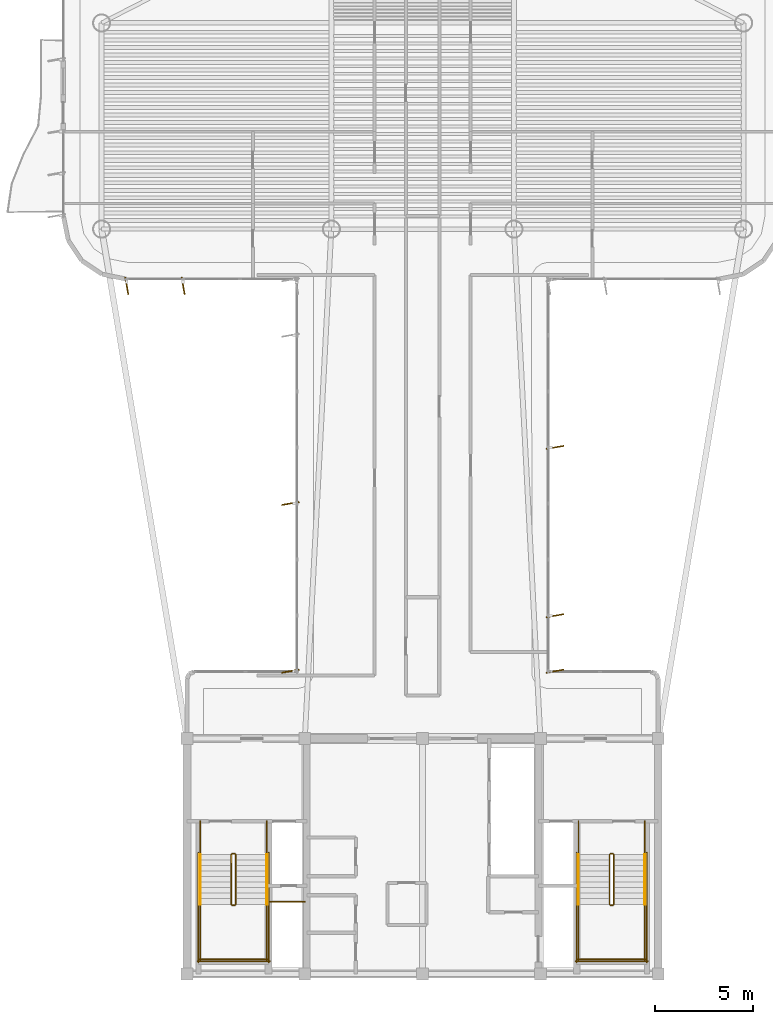
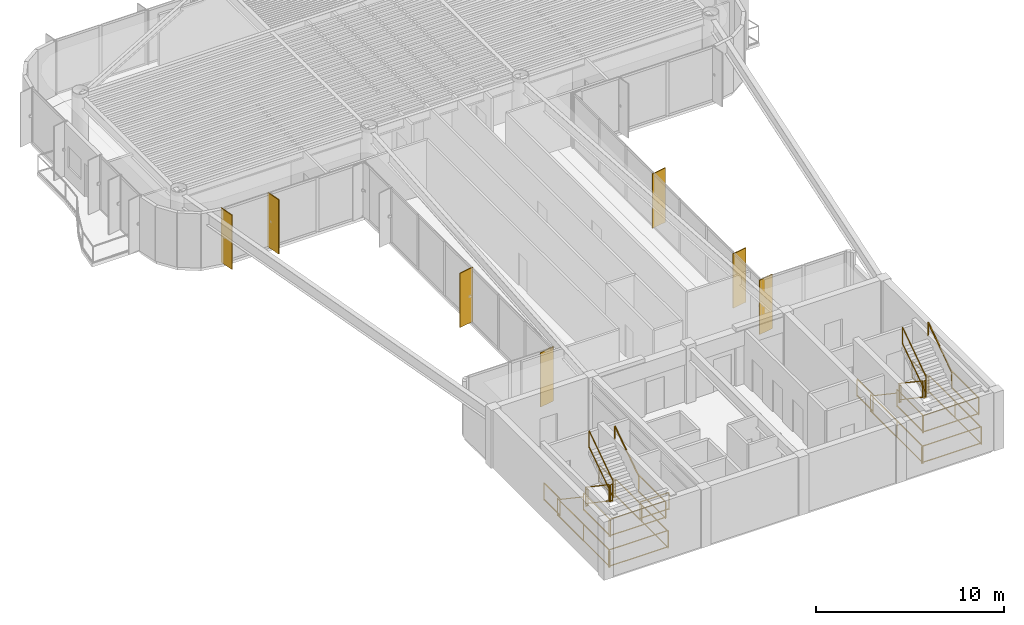
# One storey, part 14 of 15: 29 railings, 7 shading devices.
"""IFC4 building model written with IfcOpenShell, lengths in metres."""

from ifc_helpers import new_model, si_unit, direction, frame, origin, origin_2d, place, context, subcontext, project, spatial, rectangle, extrude, source, transform, mapped, material, layer, layer_set, material_profile, profile_set, type_object, element, save


model = new_model("IFC4")

# Units and contexts
model_context = context("Model", 3, precision=1e-05, world=origin(), true_north=direction((0.0, 1.0)))
body_context = subcontext(model_context, "Body", "Model", "MODEL_VIEW")
ifc_project = project(units=[si_unit("LENGTHUNIT", "METRE"), si_unit("AREAUNIT", "SQUARE_METRE"), si_unit("VOLUMEUNIT", "CUBIC_METRE"), si_unit("PLANEANGLEUNIT", "RADIAN"), si_unit("MASSUNIT", "GRAM", prefix="KILO")], contexts=[model_context])

# Site, building, storey
site_placement = place(None, origin())
site = spatial("IfcSite", under=ifc_project, at=site_placement, CompositionType="ELEMENT")
building_placement = place(site_placement, origin())
building = spatial("IfcBuilding", under=site, at=building_placement, Name="Brelvock Crest Care Tower", CompositionType="ELEMENT")
storey_placement = place(building_placement, frame((0.0, 0.0, 245.699951171875)))
storey = spatial("IfcBuildingStorey", under=building, at=storey_placement, Name="L62", CompositionType="ELEMENT", Elevation=245.699951171875)

# Railings
ifc_material_1 = material(Name="Steel Grade 350", Category="steel")
ifc_layer_1 = layer(ifc_material_1, 0.050048828125, Name="RL-STG1")
ifc_layer_set_1 = layer_set([ifc_layer_1], Name="Steel Grade 350")
railing_type_1 = type_object("IfcRailingType", Name="RL-STG1", PredefinedType="GUARDRAIL", material=ifc_layer_set_1)
railing_1_placement = place(storey_placement, frame((26.260009765625, 12.080078125, 0.18896484375)))
element("IfcRailing", 1, at=railing_1_placement, inside=storey, type_object=railing_type_1, Name="L62 ST-1 stair guard 1", PredefinedType="GUARDRAIL", context=body_context, shape_type="SweptSolid", body=[
    extrude(rectangle(XDim=0.048095703125, YDim=0.048095703125, at=origin_2d()), frame((0.0, -0.001708984375, 1.116943359375), z_axis=(0.0, -0.82882447046, 0.559508710537), x_axis=(1.0, 0.0, 0.0)), (0.0, 0.0, 1.0), 3.036376953125),
    extrude(rectangle(XDim=0.048095703125, YDim=0.048095703125, at=origin_2d()), frame((0.0, -0.001708984375, 0.05615234375), z_axis=(0.0, -0.82882447046, 0.559508710537), x_axis=(1.0, 0.0, 0.0)), (0.0, 0.0, 1.0), 3.036376953125),
    extrude(rectangle(XDim=0.0419921875, YDim=0.0419921875, at=origin_2d()), origin(), (0.0, 0.0, 1.0), 1.08984375),
    extrude(rectangle(XDim=0.0419921875, YDim=0.0419921875, at=origin_2d()), frame((0.0, -2.52001953125, 1.701171875)), (0.0, 0.0, 1.0), 1.08984375),
])
railing_2_placement = place(storey_placement, frame((26.31005859375, 9.510009765625, 1.89013671875)))
element("IfcRailing", 2, at=railing_2_placement, inside=storey, type_object=railing_type_1, Name="L62 ST-1 stair guard 2", PredefinedType="GUARDRAIL", context=body_context, shape_type="SweptSolid", body=[
    extrude(rectangle(XDim=0.048095703125, YDim=0.048095703125, at=origin_2d()), frame((0.001953125, 0.0, 1.11572265625), z_axis=(1.0, 0.0, 0.0), x_axis=(0.0, 1.0, 0.0)), (0.0, 0.0, 1.0), 0.115966796875),
    extrude(rectangle(XDim=0.048095703125, YDim=0.048095703125, at=origin_2d()), frame((0.001953125, 0.0, 0.054931640625), z_axis=(1.0, 0.0, 0.0), x_axis=(0.0, 1.0, 0.0)), (0.0, 0.0, 1.0), 0.115966796875),
    extrude(rectangle(XDim=0.0419921875, YDim=0.0419921875, at=origin_2d()), origin(), (0.0, 0.0, 1.0), 1.08984375),
    extrude(rectangle(XDim=0.0419921875, YDim=0.0419921875, at=origin_2d()), frame((0.119873046875, 0.0, 0.0)), (0.0, 0.0, 1.0), 1.08984375),
])
for number, where, name in (
    (3, (24.679931640625, 9.56005859375, 1.89013671875), "L62 ST-1 stair guard 3"),
    (4, (28.06005859375, 9.56005859375, 1.89013671875), "L62 ST-1 stair guard 4"),
):
    element("IfcRailing", number, at=place(storey_placement, frame(where)), inside=storey, type_object=railing_type_1, Name=name, PredefinedType="GUARDRAIL", context=body_context, shape_type="SweptSolid", body=[
        extrude(rectangle(XDim=0.048095703125, YDim=0.048095703125, at=origin_2d()), frame((0.0, -0.001953125, 1.11572265625), z_axis=(0.0, -1.0, 0.0), x_axis=(1.0, 0.0, 0.0)), (0.0, 0.0, 1.0), 2.856201171875),
        extrude(rectangle(XDim=0.048095703125, YDim=0.048095703125, at=origin_2d()), frame((0.0, -0.001953125, 0.054931640625), z_axis=(0.0, -1.0, 0.0), x_axis=(1.0, 0.0, 0.0)), (0.0, 0.0, 1.0), 2.856201171875),
        extrude(rectangle(XDim=0.0419921875, YDim=0.0419921875, at=origin_2d()), origin(), (0.0, 0.0, 1.0), 1.08984375),
        extrude(rectangle(XDim=0.0419921875, YDim=0.0419921875, at=origin_2d()), frame((0.0, -2.860107421875, 0.0)), (0.0, 0.0, 1.0), 1.08984375),
    ])
railing_3_placement = place(storey_placement, frame((24.6298828125, 6.75, 1.89013671875)))
element("IfcRailing", 5, at=railing_3_placement, inside=storey, type_object=railing_type_1, Name="L62 ST-1 stair guard 5", PredefinedType="GUARDRAIL", context=body_context, shape_type="SweptSolid", body=[
    extrude(rectangle(XDim=0.048095703125, YDim=0.048095703125, at=origin_2d()), frame((0.001953125, 0.0, 1.11572265625), z_axis=(1.0, 0.0, 0.0), x_axis=(0.0, 1.0, 0.0)), (0.0, 0.0, 1.0), 3.476318359375),
    extrude(rectangle(XDim=0.048095703125, YDim=0.048095703125, at=origin_2d()), frame((0.001953125, 0.0, 0.054931640625), z_axis=(1.0, 0.0, 0.0), x_axis=(0.0, 1.0, 0.0)), (0.0, 0.0, 1.0), 3.476318359375),
    extrude(rectangle(XDim=0.0419921875, YDim=0.0419921875, at=origin_2d()), origin(), (0.0, 0.0, 1.0), 1.08984375),
    extrude(rectangle(XDim=0.0419921875, YDim=0.0419921875, at=origin_2d()), frame((3.480224609375, 0.0, 0.0)), (0.0, 0.0, 1.0), 1.08984375),
])
railing_4_placement = place(storey_placement, frame((26.47998046875, 9.56005859375, 2.0791015625)))
element("IfcRailing", 6, at=railing_4_placement, inside=storey, type_object=railing_type_1, Name="L62 ST-1 stair guard 6", PredefinedType="GUARDRAIL", context=body_context, shape_type="SweptSolid", body=[
    extrude(rectangle(XDim=0.048095703125, YDim=0.048095703125, at=origin_2d()), frame((0.0, 0.001708984375, 1.116943359375), z_axis=(0.0, 0.828861706735, 0.559453546873), x_axis=(-1.0, 0.0, 0.0)), (0.0, 0.0, 1.0), 3.036376953125),
    extrude(rectangle(XDim=0.048095703125, YDim=0.048095703125, at=origin_2d()), frame((0.0, 0.001708984375, 0.05615234375), z_axis=(0.0, 0.828861706735, 0.559453546873), x_axis=(-1.0, 0.0, 0.0)), (0.0, 0.0, 1.0), 3.036376953125),
    extrude(rectangle(XDim=0.0419921875, YDim=0.0419921875, at=origin_2d()), origin(), (0.0, 0.0, 1.0), 1.08984375),
    extrude(rectangle(XDim=0.0419921875, YDim=0.0419921875, at=origin_2d()), frame((0.0, 2.52001953125, 1.700927734375)), (0.0, 0.0, 1.0), 1.08984375),
])
railing_5_placement = place(storey_placement, frame((26.31005859375, 12.1298828125, 0.0)))
element("IfcRailing", 7, at=railing_5_placement, inside=storey, type_object=railing_type_1, Name="L62 ST-1 stair guard 7", PredefinedType="GUARDRAIL", context=body_context, shape_type="SweptSolid", body=[
    extrude(rectangle(XDim=0.048095703125, YDim=0.048095703125, at=origin_2d()), frame((0.001953125, 0.0, 1.11572265625), z_axis=(1.0, 0.0, 0.0), x_axis=(0.0, 1.0, 0.0)), (0.0, 0.0, 1.0), 0.115966796875),
    extrude(rectangle(XDim=0.048095703125, YDim=0.048095703125, at=origin_2d()), frame((0.001953125, 0.0, 0.054931640625), z_axis=(1.0, 0.0, 0.0), x_axis=(0.0, 1.0, 0.0)), (0.0, 0.0, 1.0), 0.115966796875),
    extrude(rectangle(XDim=0.0419921875, YDim=0.0419921875, at=origin_2d()), origin(), (0.0, 0.0, 1.0), 1.08984375),
    extrude(rectangle(XDim=0.0419921875, YDim=0.0419921875, at=origin_2d()), frame((0.119873046875, 0.0, 0.0)), (0.0, 0.0, 1.0), 1.08984375),
])
for number, where, name in (
    (8, (24.679931640625, 13.780029296875, 0.0), "L62 ST-1 stair guard 8"),
    (9, (28.06005859375, 13.780029296875, 0.0), "L62 ST-1 stair guard 9"),
):
    element("IfcRailing", number, at=place(storey_placement, frame(where)), inside=storey, type_object=railing_type_1, Name=name, PredefinedType="GUARDRAIL", context=body_context, shape_type="SweptSolid", body=[
        extrude(rectangle(XDim=0.048095703125, YDim=0.048095703125, at=origin_2d()), frame((0.0, -0.001953125, 1.11572265625), z_axis=(0.0, -1.0, 0.0), x_axis=(1.0, 0.0, 0.0)), (0.0, 0.0, 1.0), 1.696044921875),
        extrude(rectangle(XDim=0.048095703125, YDim=0.048095703125, at=origin_2d()), frame((0.0, -0.001953125, 0.054931640625), z_axis=(0.0, -1.0, 0.0), x_axis=(1.0, 0.0, 0.0)), (0.0, 0.0, 1.0), 1.696044921875),
        extrude(rectangle(XDim=0.0419921875, YDim=0.0419921875, at=origin_2d()), origin(), (0.0, 0.0, 1.0), 1.08984375),
        extrude(rectangle(XDim=0.0419921875, YDim=0.0419921875, at=origin_2d()), frame((0.0, -1.699951171875, 0.0)), (0.0, 0.0, 1.0), 1.08984375),
    ])
for number, where, name in (
    (10, (24.580078125, 12.179931640625, 0.0), "L62 ST-1 stair guard 10"),
    (11, (28.159912109375, 12.179931640625, 0.0), "L62 ST-1 stair guard 11"),
):
    element("IfcRailing", number, at=place(storey_placement, frame(where)), inside=storey, type_object=railing_type_1, Name=name, PredefinedType="GUARDRAIL", context=body_context, shape_type="SweptSolid", body=[
        extrude(rectangle(XDim=0.048095703125, YDim=0.048095703125, at=origin_2d()), frame((0.0, -0.001953125, 1.11572265625), z_axis=(0.0, -1.0, 0.0), x_axis=(1.0, 0.0, 0.0)), (0.0, 0.0, 1.0), 5.575927734375),
        extrude(rectangle(XDim=0.048095703125, YDim=0.048095703125, at=origin_2d()), frame((0.0, -0.001953125, 0.054931640625), z_axis=(0.0, -1.0, 0.0), x_axis=(1.0, 0.0, 0.0)), (0.0, 0.0, 1.0), 5.575927734375),
        extrude(rectangle(XDim=0.0419921875, YDim=0.0419921875, at=origin_2d()), origin(), (0.0, 0.0, 1.0), 1.08984375),
        extrude(rectangle(XDim=0.0419921875, YDim=0.0419921875, at=origin_2d()), frame((0.0, -2.7900390625, 0.0)), (0.0, 0.0, 1.0), 1.08984375),
        extrude(rectangle(XDim=0.0419921875, YDim=0.0419921875, at=origin_2d()), frame((0.0, -5.579833984375, 0.0)), (0.0, 0.0, 1.0), 1.08984375),
    ])
railing_6_placement = place(storey_placement, frame((24.530029296875, 6.64990234375, 0.0)))
element("IfcRailing", 12, at=railing_6_placement, inside=storey, type_object=railing_type_1, Name="L62 ST-1 stair guard 12", PredefinedType="GUARDRAIL", context=body_context, shape_type="SweptSolid", body=[
    extrude(rectangle(XDim=0.048095703125, YDim=0.048095703125, at=origin_2d()), frame((0.001953125, 0.0, 1.11572265625), z_axis=(1.0, 0.0, 0.0), x_axis=(0.0, 1.0, 0.0)), (0.0, 0.0, 1.0), 3.676025390625),
    extrude(rectangle(XDim=0.048095703125, YDim=0.048095703125, at=origin_2d()), frame((0.001953125, 0.0, 0.054931640625), z_axis=(1.0, 0.0, 0.0), x_axis=(0.0, 1.0, 0.0)), (0.0, 0.0, 1.0), 3.676025390625),
    extrude(rectangle(XDim=0.0419921875, YDim=0.0419921875, at=origin_2d()), origin(), (0.0, 0.0, 1.0), 1.08984375),
    extrude(rectangle(XDim=0.0419921875, YDim=0.0419921875, at=origin_2d()), frame((3.679931640625, 0.0, 0.0)), (0.0, 0.0, 1.0), 1.08984375),
])
railing_7_placement = place(storey_placement, frame((45.52001953125, 12.080078125, 0.18896484375)))
element("IfcRailing", 13, at=railing_7_placement, inside=storey, type_object=railing_type_1, Name="L62 ST-2 stair guard 1", PredefinedType="GUARDRAIL", context=body_context, shape_type="SweptSolid", body=[
    extrude(rectangle(XDim=0.048095703125, YDim=0.048095703125, at=origin_2d()), frame((0.0, -0.001708984375, 1.116943359375), z_axis=(0.0, -0.82882447046, 0.559508710537), x_axis=(1.0, 0.0, 0.0)), (0.0, 0.0, 1.0), 3.036376953125),
    extrude(rectangle(XDim=0.048095703125, YDim=0.048095703125, at=origin_2d()), frame((0.0, -0.001708984375, 0.05615234375), z_axis=(0.0, -0.82882447046, 0.559508710537), x_axis=(1.0, 0.0, 0.0)), (0.0, 0.0, 1.0), 3.036376953125),
    extrude(rectangle(XDim=0.0419921875, YDim=0.0419921875, at=origin_2d()), origin(), (0.0, 0.0, 1.0), 1.08984375),
    extrude(rectangle(XDim=0.0419921875, YDim=0.0419921875, at=origin_2d()), frame((0.0, -2.52001953125, 1.701171875)), (0.0, 0.0, 1.0), 1.08984375),
])
railing_8_placement = place(storey_placement, frame((45.570068359375, 9.510009765625, 1.89013671875)))
element("IfcRailing", 14, at=railing_8_placement, inside=storey, type_object=railing_type_1, Name="L62 ST-2 stair guard 2", PredefinedType="GUARDRAIL", context=body_context, shape_type="SweptSolid", body=[
    extrude(rectangle(XDim=0.048095703125, YDim=0.048095703125, at=origin_2d()), frame((0.001953125, 0.0, 1.11572265625), z_axis=(1.0, 0.0, 0.0), x_axis=(0.0, 1.0, 0.0)), (0.0, 0.0, 1.0), 0.115966796875),
    extrude(rectangle(XDim=0.048095703125, YDim=0.048095703125, at=origin_2d()), frame((0.001953125, 0.0, 0.054931640625), z_axis=(1.0, 0.0, 0.0), x_axis=(0.0, 1.0, 0.0)), (0.0, 0.0, 1.0), 0.115966796875),
    extrude(rectangle(XDim=0.0419921875, YDim=0.0419921875, at=origin_2d()), origin(), (0.0, 0.0, 1.0), 1.08984375),
    extrude(rectangle(XDim=0.0419921875, YDim=0.0419921875, at=origin_2d()), frame((0.119873046875, 0.0, 0.0)), (0.0, 0.0, 1.0), 1.08984375),
])
for number, where, name in (
    (15, (43.93994140625, 9.56005859375, 1.89013671875), "L62 ST-2 stair guard 3"),
    (16, (47.320068359375, 9.56005859375, 1.89013671875), "L62 ST-2 stair guard 4"),
):
    element("IfcRailing", number, at=place(storey_placement, frame(where)), inside=storey, type_object=railing_type_1, Name=name, PredefinedType="GUARDRAIL", context=body_context, shape_type="SweptSolid", body=[
        extrude(rectangle(XDim=0.048095703125, YDim=0.048095703125, at=origin_2d()), frame((0.0, -0.001953125, 1.11572265625), z_axis=(0.0, -1.0, 0.0), x_axis=(1.0, 0.0, 0.0)), (0.0, 0.0, 1.0), 2.856201171875),
        extrude(rectangle(XDim=0.048095703125, YDim=0.048095703125, at=origin_2d()), frame((0.0, -0.001953125, 0.054931640625), z_axis=(0.0, -1.0, 0.0), x_axis=(1.0, 0.0, 0.0)), (0.0, 0.0, 1.0), 2.856201171875),
        extrude(rectangle(XDim=0.0419921875, YDim=0.0419921875, at=origin_2d()), origin(), (0.0, 0.0, 1.0), 1.08984375),
        extrude(rectangle(XDim=0.0419921875, YDim=0.0419921875, at=origin_2d()), frame((0.0, -2.860107421875, 0.0)), (0.0, 0.0, 1.0), 1.08984375),
    ])
railing_9_placement = place(storey_placement, frame((43.889892578125, 6.75, 1.89013671875)))
element("IfcRailing", 17, at=railing_9_placement, inside=storey, type_object=railing_type_1, Name="L62 ST-2 stair guard 5", PredefinedType="GUARDRAIL", context=body_context, shape_type="SweptSolid", body=[
    extrude(rectangle(XDim=0.048095703125, YDim=0.048095703125, at=origin_2d()), frame((0.001953125, 0.0, 1.11572265625), z_axis=(1.0, 0.0, 0.0), x_axis=(0.0, 1.0, 0.0)), (0.0, 0.0, 1.0), 3.476318359375),
    extrude(rectangle(XDim=0.048095703125, YDim=0.048095703125, at=origin_2d()), frame((0.001953125, 0.0, 0.054931640625), z_axis=(1.0, 0.0, 0.0), x_axis=(0.0, 1.0, 0.0)), (0.0, 0.0, 1.0), 3.476318359375),
    extrude(rectangle(XDim=0.0419921875, YDim=0.0419921875, at=origin_2d()), origin(), (0.0, 0.0, 1.0), 1.08984375),
    extrude(rectangle(XDim=0.0419921875, YDim=0.0419921875, at=origin_2d()), frame((3.480224609375, 0.0, 0.0)), (0.0, 0.0, 1.0), 1.08984375),
])
railing_10_placement = place(storey_placement, frame((45.739990234375, 9.56005859375, 2.0791015625)))
element("IfcRailing", 18, at=railing_10_placement, inside=storey, type_object=railing_type_1, Name="L62 ST-2 stair guard 6", PredefinedType="GUARDRAIL", context=body_context, shape_type="SweptSolid", body=[
    extrude(rectangle(XDim=0.048095703125, YDim=0.048095703125, at=origin_2d()), frame((0.0, 0.001708984375, 1.116943359375), z_axis=(0.0, 0.828861706735, 0.559453546873), x_axis=(-1.0, 0.0, 0.0)), (0.0, 0.0, 1.0), 3.036376953125),
    extrude(rectangle(XDim=0.048095703125, YDim=0.048095703125, at=origin_2d()), frame((0.0, 0.001708984375, 0.05615234375), z_axis=(0.0, 0.828861706735, 0.559453546873), x_axis=(-1.0, 0.0, 0.0)), (0.0, 0.0, 1.0), 3.036376953125),
    extrude(rectangle(XDim=0.0419921875, YDim=0.0419921875, at=origin_2d()), origin(), (0.0, 0.0, 1.0), 1.08984375),
    extrude(rectangle(XDim=0.0419921875, YDim=0.0419921875, at=origin_2d()), frame((0.0, 2.52001953125, 1.700927734375)), (0.0, 0.0, 1.0), 1.08984375),
])
railing_11_placement = place(storey_placement, frame((45.570068359375, 12.1298828125, 0.0)))
element("IfcRailing", 19, at=railing_11_placement, inside=storey, type_object=railing_type_1, Name="L62 ST-2 stair guard 7", PredefinedType="GUARDRAIL", context=body_context, shape_type="SweptSolid", body=[
    extrude(rectangle(XDim=0.048095703125, YDim=0.048095703125, at=origin_2d()), frame((0.001953125, 0.0, 1.11572265625), z_axis=(1.0, 0.0, 0.0), x_axis=(0.0, 1.0, 0.0)), (0.0, 0.0, 1.0), 0.115966796875),
    extrude(rectangle(XDim=0.048095703125, YDim=0.048095703125, at=origin_2d()), frame((0.001953125, 0.0, 0.054931640625), z_axis=(1.0, 0.0, 0.0), x_axis=(0.0, 1.0, 0.0)), (0.0, 0.0, 1.0), 0.115966796875),
    extrude(rectangle(XDim=0.0419921875, YDim=0.0419921875, at=origin_2d()), origin(), (0.0, 0.0, 1.0), 1.08984375),
    extrude(rectangle(XDim=0.0419921875, YDim=0.0419921875, at=origin_2d()), frame((0.119873046875, 0.0, 0.0)), (0.0, 0.0, 1.0), 1.08984375),
])
for number, where, name in (
    (20, (43.93994140625, 13.780029296875, 0.0), "L62 ST-2 stair guard 8"),
    (21, (47.320068359375, 13.780029296875, 0.0), "L62 ST-2 stair guard 9"),
):
    element("IfcRailing", number, at=place(storey_placement, frame(where)), inside=storey, type_object=railing_type_1, Name=name, PredefinedType="GUARDRAIL", context=body_context, shape_type="SweptSolid", body=[
        extrude(rectangle(XDim=0.048095703125, YDim=0.048095703125, at=origin_2d()), frame((0.0, -0.001953125, 1.11572265625), z_axis=(0.0, -1.0, 0.0), x_axis=(1.0, 0.0, 0.0)), (0.0, 0.0, 1.0), 1.696044921875),
        extrude(rectangle(XDim=0.048095703125, YDim=0.048095703125, at=origin_2d()), frame((0.0, -0.001953125, 0.054931640625), z_axis=(0.0, -1.0, 0.0), x_axis=(1.0, 0.0, 0.0)), (0.0, 0.0, 1.0), 1.696044921875),
        extrude(rectangle(XDim=0.0419921875, YDim=0.0419921875, at=origin_2d()), origin(), (0.0, 0.0, 1.0), 1.08984375),
        extrude(rectangle(XDim=0.0419921875, YDim=0.0419921875, at=origin_2d()), frame((0.0, -1.699951171875, 0.0)), (0.0, 0.0, 1.0), 1.08984375),
    ])
for number, where, name in (
    (22, (43.840087890625, 12.179931640625, 0.0), "L62 ST-2 stair guard 10"),
    (23, (47.419921875, 12.179931640625, 0.0), "L62 ST-2 stair guard 11"),
):
    element("IfcRailing", number, at=place(storey_placement, frame(where)), inside=storey, type_object=railing_type_1, Name=name, PredefinedType="GUARDRAIL", context=body_context, shape_type="SweptSolid", body=[
        extrude(rectangle(XDim=0.048095703125, YDim=0.048095703125, at=origin_2d()), frame((0.0, -0.001953125, 1.11572265625), z_axis=(0.0, -1.0, 0.0), x_axis=(1.0, 0.0, 0.0)), (0.0, 0.0, 1.0), 5.575927734375),
        extrude(rectangle(XDim=0.048095703125, YDim=0.048095703125, at=origin_2d()), frame((0.0, -0.001953125, 0.054931640625), z_axis=(0.0, -1.0, 0.0), x_axis=(1.0, 0.0, 0.0)), (0.0, 0.0, 1.0), 5.575927734375),
        extrude(rectangle(XDim=0.0419921875, YDim=0.0419921875, at=origin_2d()), origin(), (0.0, 0.0, 1.0), 1.08984375),
        extrude(rectangle(XDim=0.0419921875, YDim=0.0419921875, at=origin_2d()), frame((0.0, -2.7900390625, 0.0)), (0.0, 0.0, 1.0), 1.08984375),
        extrude(rectangle(XDim=0.0419921875, YDim=0.0419921875, at=origin_2d()), frame((0.0, -5.579833984375, 0.0)), (0.0, 0.0, 1.0), 1.08984375),
    ])
railing_12_placement = place(storey_placement, frame((43.7900390625, 6.64990234375, 0.0)))
element("IfcRailing", 24, at=railing_12_placement, inside=storey, type_object=railing_type_1, Name="L62 ST-2 stair guard 12", PredefinedType="GUARDRAIL", context=body_context, shape_type="SweptSolid", body=[
    extrude(rectangle(XDim=0.048095703125, YDim=0.048095703125, at=origin_2d()), frame((0.001953125, 0.0, 1.11572265625), z_axis=(1.0, 0.0, 0.0), x_axis=(0.0, 1.0, 0.0)), (0.0, 0.0, 1.0), 3.676025390625),
    extrude(rectangle(XDim=0.048095703125, YDim=0.048095703125, at=origin_2d()), frame((0.001953125, 0.0, 0.054931640625), z_axis=(1.0, 0.0, 0.0), x_axis=(0.0, 1.0, 0.0)), (0.0, 0.0, 1.0), 3.676025390625),
    extrude(rectangle(XDim=0.0419921875, YDim=0.0419921875, at=origin_2d()), origin(), (0.0, 0.0, 1.0), 1.08984375),
    extrude(rectangle(XDim=0.0419921875, YDim=0.0419921875, at=origin_2d()), frame((3.679931640625, 0.0, 0.0)), (0.0, 0.0, 1.0), 1.08984375),
])
railing_13_placement = place(storey_placement, frame((28.219970703125, 9.679931640625, 0.0)))
element("IfcRailing", 25, at=railing_13_placement, inside=storey, type_object=railing_type_1, Name="L62 Fire Riser Threshold Guard", PredefinedType="GUARDRAIL", context=body_context, shape_type="SweptSolid", body=[
    extrude(rectangle(XDim=0.048095703125, YDim=0.048095703125, at=origin_2d()), frame((0.001953125, 0.0, 1.11572265625), z_axis=(1.0, 0.0, 0.0), x_axis=(0.0, 1.0, 0.0)), (0.0, 0.0, 1.0), 1.776123046875),
    extrude(rectangle(XDim=0.048095703125, YDim=0.048095703125, at=origin_2d()), frame((0.001953125, 0.0, 0.054931640625), z_axis=(1.0, 0.0, 0.0), x_axis=(0.0, 1.0, 0.0)), (0.0, 0.0, 1.0), 1.776123046875),
    extrude(rectangle(XDim=0.0419921875, YDim=0.0419921875, at=origin_2d()), origin(), (0.0, 0.0, 1.0), 1.08984375),
    extrude(rectangle(XDim=0.0419921875, YDim=0.0419921875, at=origin_2d()), frame((1.780029296875, 0.0, 0.0)), (0.0, 0.0, 1.0), 1.08984375),
])
ifc_layer_2 = layer(ifc_material_1, 0.048095703125, Name="RL-STH1")
ifc_layer_set_2 = layer_set([ifc_layer_2], Name="Steel Grade 350")
railing_type_2 = type_object("IfcRailingType", Name="RL-STH1", PredefinedType="HANDRAIL", material=ifc_layer_set_2)
railing_14_placement = place(storey_placement, frame((24.679931640625, 12.080078125, 0.18896484375)))
element("IfcRailing", 26, at=railing_14_placement, inside=storey, type_object=railing_type_2, Name="L62 ST-1 stair handrail 1", PredefinedType="HANDRAIL", context=body_context, shape_type="SweptSolid", body=[
    extrude(rectangle(XDim=0.048095703125, YDim=0.048095703125, at=origin_2d()), frame((0.0, -0.001708984375, 0.876953125), z_axis=(0.0, -0.82882447046, 0.559508710537), x_axis=(1.0, 0.0, 0.0)), (0.0, 0.0, 1.0), 3.036376953125),
    extrude(rectangle(XDim=0.0419921875, YDim=0.0419921875, at=origin_2d()), origin(), (0.0, 0.0, 1.0), 0.849853515625),
    extrude(rectangle(XDim=0.0419921875, YDim=0.0419921875, at=origin_2d()), frame((0.0, -2.52001953125, 1.701171875)), (0.0, 0.0, 1.0), 0.849853515625),
])
railing_15_placement = place(storey_placement, frame((28.06005859375, 9.56005859375, 2.0791015625)))
element("IfcRailing", 27, at=railing_15_placement, inside=storey, type_object=railing_type_2, Name="L62 ST-1 stair handrail 2", PredefinedType="HANDRAIL", context=body_context, shape_type="SweptSolid", body=[
    extrude(rectangle(XDim=0.048095703125, YDim=0.048095703125, at=origin_2d()), frame((0.0, 0.001708984375, 0.876953125), z_axis=(0.0, 0.828861706735, 0.559453546873), x_axis=(-1.0, 0.0, 0.0)), (0.0, 0.0, 1.0), 3.036376953125),
    extrude(rectangle(XDim=0.0419921875, YDim=0.0419921875, at=origin_2d()), origin(), (0.0, 0.0, 1.0), 0.849853515625),
    extrude(rectangle(XDim=0.0419921875, YDim=0.0419921875, at=origin_2d()), frame((0.0, 2.52001953125, 1.700927734375)), (0.0, 0.0, 1.0), 0.849853515625),
])
railing_16_placement = place(storey_placement, frame((43.93994140625, 12.080078125, 0.18896484375)))
element("IfcRailing", 28, at=railing_16_placement, inside=storey, type_object=railing_type_2, Name="L62 ST-2 stair handrail 1", PredefinedType="HANDRAIL", context=body_context, shape_type="SweptSolid", body=[
    extrude(rectangle(XDim=0.048095703125, YDim=0.048095703125, at=origin_2d()), frame((0.0, -0.001708984375, 0.876953125), z_axis=(0.0, -0.82882447046, 0.559508710537), x_axis=(1.0, 0.0, 0.0)), (0.0, 0.0, 1.0), 3.036376953125),
    extrude(rectangle(XDim=0.0419921875, YDim=0.0419921875, at=origin_2d()), origin(), (0.0, 0.0, 1.0), 0.849853515625),
    extrude(rectangle(XDim=0.0419921875, YDim=0.0419921875, at=origin_2d()), frame((0.0, -2.52001953125, 1.701171875)), (0.0, 0.0, 1.0), 0.849853515625),
])
railing_17_placement = place(storey_placement, frame((47.320068359375, 9.56005859375, 2.0791015625)))
element("IfcRailing", 29, at=railing_17_placement, inside=storey, type_object=railing_type_2, Name="L62 ST-2 stair handrail 2", PredefinedType="HANDRAIL", context=body_context, shape_type="SweptSolid", body=[
    extrude(rectangle(XDim=0.048095703125, YDim=0.048095703125, at=origin_2d()), frame((0.0, 0.001708984375, 0.876953125), z_axis=(0.0, 0.828861706735, 0.559453546873), x_axis=(-1.0, 0.0, 0.0)), (0.0, 0.0, 1.0), 3.036376953125),
    extrude(rectangle(XDim=0.0419921875, YDim=0.0419921875, at=origin_2d()), origin(), (0.0, 0.0, 1.0), 0.849853515625),
    extrude(rectangle(XDim=0.0419921875, YDim=0.0419921875, at=origin_2d()), frame((0.0, 2.52001953125, 1.700927734375)), (0.0, 0.0, 1.0), 0.849853515625),
])

# Shading devices
ifc_material_2 = material(Name="Aluminium 6063-T6", Category="aluminium")
ifc_material_profile = material_profile(ifc_material_2, rectangle(XDim=0.054931640625, YDim=0.89990234375, at=origin_2d()), Name="FIN55x900")
ifc_profile_set = profile_set([ifc_material_profile], Name="Aluminium 6063-T6")
shading_device_type = type_object("IfcShadingDeviceType", Name="SHD-FIN1", PredefinedType="USERDEFINED", material=ifc_profile_set)
shared_shape = source(origin(), body_context, "Body", "SweptSolid", [
    extrude(rectangle(XDim=0.054931640625, YDim=0.89990234375, at=origin_2d()), origin(), (0.0, 0.0, 1.0), 3.530029296875),
])
for number, where, z_axis, x_axis, name in (
    (30, (29.260009765625, 21.429931640625, 0.0), (0.0, 0.0, 1.0), (-0.173648177667, 0.984807753012, 0.0), "L62 Vertical Sunshade Fin E11-01"),
    (31, (29.260009765625, 29.971435546875, 0.0), (0.0, 0.0, 1.0), (-0.173648177667, 0.984807753012, 0.0), "L62 Vertical Sunshade Fin E11-04"),
    (32, (23.800048828125, 41.06005859375, 0.0), (0.0, 0.0, 1.0), (-0.984807753012, -0.173648177667, 0.0), "L62 Vertical Sunshade Fin E12-03"),
    (33, (20.929931640625, 41.06005859375, 0.0), (0.0, 0.0, 1.0), (-0.984807753012, -0.173648177667, 0.0), "L62 Vertical Sunshade Fin E12-04"),
    (34, (42.739990234375, 32.82861328125, 0.0), (0.0, 0.0, 1.0), (0.173648177667, -0.984807753012, 0.0), "L62 Vertical Sunshade Fin E45-04"),
    (35, (42.739990234375, 24.257080078125, 0.0), (0.0, 0.0, 1.0), (0.173648177667, -0.984807753012, 0.0), "L62 Vertical Sunshade Fin E45-07"),
    (36, (42.739990234375, 21.429931640625, 0.0), (0.0, 0.0, 1.0), (0.173648177667, -0.984807753012, 0.0), "L62 Vertical Sunshade Fin E45-08"),
):
    element("IfcShadingDevice", number, at=place(storey_placement, frame(where, z_axis=z_axis, x_axis=x_axis)), inside=storey, type_object=shading_device_type, Name=name, ObjectType="FIN", PredefinedType="USERDEFINED", context=body_context, shape_type="MappedRepresentation", body=[
        mapped(shared_shape, transform((0.0, 0.0, 0.0), x_axis=(1.0, 0.0, 0.0), y_axis=(0.0, 1.0, 0.0), z_axis=(0.0, 0.0, 1.0), scale=1.0)),
    ])

save(model, "model.ifc")
